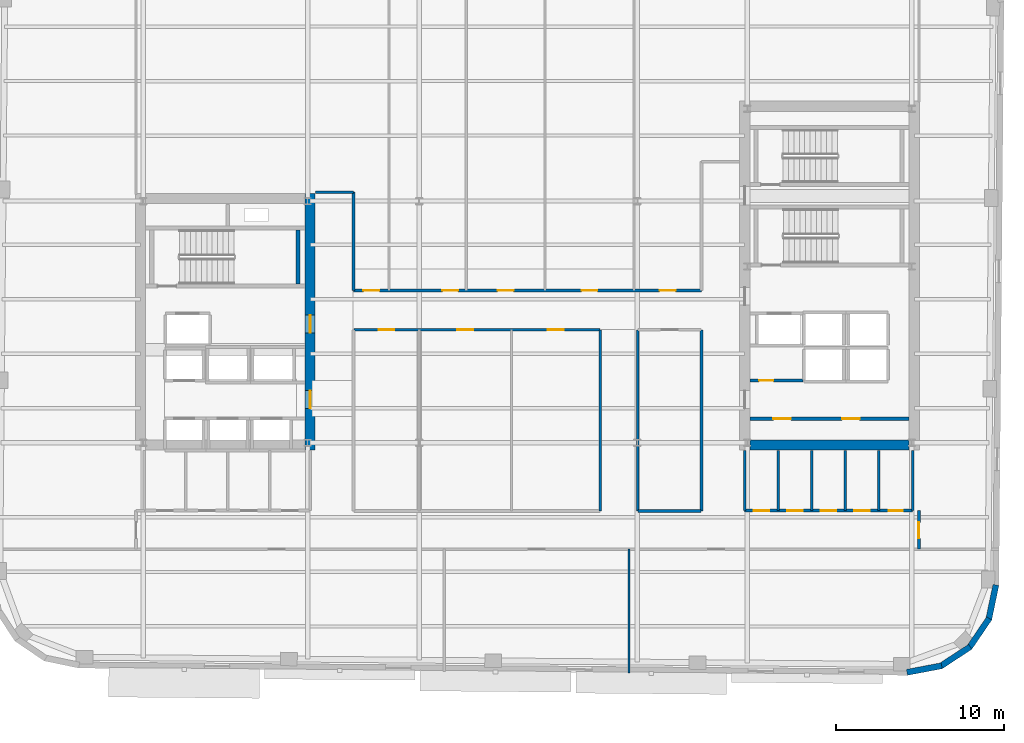
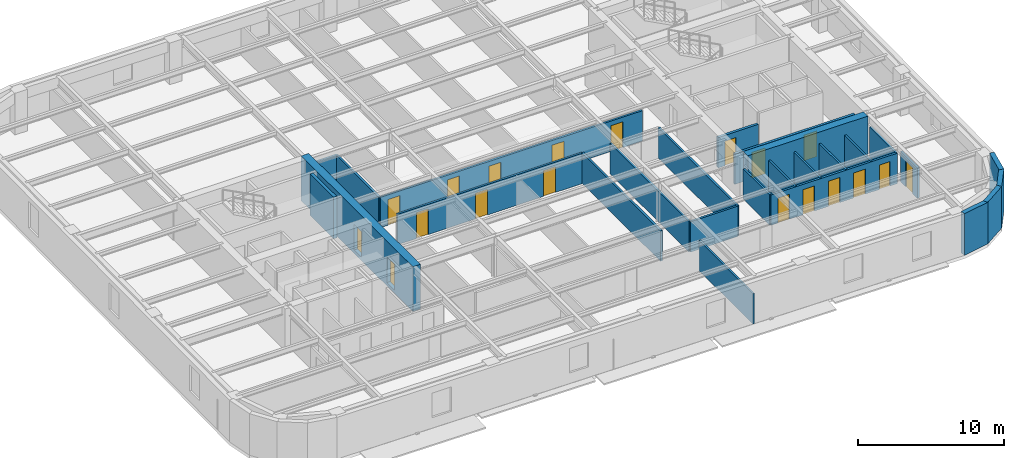
# One storey, part 5 of 11: 26 walls, 19 doors, 19 openings.
"""IFC4 building model written with IfcOpenShell, lengths in metres."""

from ifc_helpers import new_model, si_unit, direction, frame, frame_2d, origin, place, context, subcontext, project, spatial, rectangle, extrude, material, layer, layer_set, type_object, element, fill, save


model = new_model("IFC4")

# Units and contexts
model_context = context("Model", 3, precision=1e-05, world=origin(), true_north=direction((0.0, 1.0)))
body_context = subcontext(model_context, "Body", "Model", "MODEL_VIEW")
ifc_project = project(units=[si_unit("LENGTHUNIT", "METRE"), si_unit("AREAUNIT", "SQUARE_METRE"), si_unit("VOLUMEUNIT", "CUBIC_METRE"), si_unit("PLANEANGLEUNIT", "RADIAN"), si_unit("MASSUNIT", "GRAM", prefix="KILO")], contexts=[model_context])

# Site, building, storey
site_placement = place(None, origin())
site = spatial("IfcSite", under=ifc_project, at=site_placement, CompositionType="ELEMENT")
building_placement = place(site_placement, origin())
building = spatial("IfcBuilding", under=site, at=building_placement, Name="Kolvaren Arena Tower", CompositionType="ELEMENT")
storey_placement = place(building_placement, frame((0.0, 0.0, 184.699951171875)))
storey = spatial("IfcBuildingStorey", under=building, at=storey_placement, Name="L44", CompositionType="ELEMENT", Elevation=184.699951171875)

# Wall, openings, doors
ifc_material_1 = material(Name="Gypsum board acoustic assembly", Category="gypsum")
ifc_layer_1 = layer(ifc_material_1, 0.159912109375)
ifc_layer_set_1 = layer_set([ifc_layer_1], Name="Gypsum board acoustic assembly")
wall_type_1 = type_object("IfcWallType", Name="CORR-160", PredefinedType="PARTITIONING", material=ifc_layer_set_1)
wall_1_placement = place(storey_placement, frame((27.080078125, 28.52001953125, 0.0), z_axis=(0.0, 0.0, 1.0), x_axis=(1.0, 0.0, 0.0)))
wall_1 = element("IfcWall", 1, at=wall_1_placement, inside=storey, type_object=wall_type_1, Name="Interior Partition Wall (L44)", PredefinedType="PARTITIONING", context=body_context, shape_type="SweptSolid", body=[
    extrude(rectangle(XDim=20.739990234375, YDim=0.159912109375, at=frame_2d((10.3701171875, 0.0))), origin(), (0.0, 0.0, 1.0), 2.5400390625),
])
opening_1_placement = place(wall_1_placement, frame((0.594970703125, 0.0, 0.0)))
opening_1 = element("IfcOpeningElement", 2, at=opening_1_placement, cuts=wall_1, Name="Opening D05", PredefinedType="OPENING", context=body_context, shape_type="SweptSolid", body=[
    extrude(rectangle(XDim=0.949951171875, YDim=2.14990234375, at=frame_2d((0.47509765625, 1.074951171875))), frame((0.0, 0.08984375, 0.0), z_axis=(0.0, -1.0, 0.0), x_axis=(1.0, 0.0, 0.0)), (0.0, 0.0, 1.0), 0.179931640625),
])
opening_2_placement = place(wall_1_placement, frame((5.294921875, 0.0, 0.0)))
opening_2 = element("IfcOpeningElement", 3, at=opening_2_placement, cuts=wall_1, Name="Opening D05", PredefinedType="OPENING", context=body_context, shape_type="SweptSolid", body=[
    extrude(rectangle(XDim=0.949951171875, YDim=2.14990234375, at=frame_2d((0.47509765625, 1.074951171875))), frame((0.0, 0.08984375, 0.0), z_axis=(0.0, -1.0, 0.0), x_axis=(1.0, 0.0, 0.0)), (0.0, 0.0, 1.0), 0.179931640625),
])
opening_3_placement = place(wall_1_placement, frame((8.594970703125, 0.0, 0.0)))
opening_3 = element("IfcOpeningElement", 4, at=opening_3_placement, cuts=wall_1, Name="Opening D05", PredefinedType="OPENING", context=body_context, shape_type="SweptSolid", body=[
    extrude(rectangle(XDim=0.949951171875, YDim=2.14990234375, at=frame_2d((0.47509765625, 1.074951171875))), frame((0.0, 0.08984375, 0.0), z_axis=(0.0, -1.0, 0.0), x_axis=(1.0, 0.0, 0.0)), (0.0, 0.0, 1.0), 0.179931640625),
])
opening_4_placement = place(wall_1_placement, frame((13.594970703125, 0.0, 0.0)))
opening_4 = element("IfcOpeningElement", 5, at=opening_4_placement, cuts=wall_1, Name="Opening D05", PredefinedType="OPENING", context=body_context, shape_type="SweptSolid", body=[
    extrude(rectangle(XDim=0.949951171875, YDim=2.14990234375, at=frame_2d((0.47509765625, 1.074951171875))), frame((0.0, 0.08984375, 0.0), z_axis=(0.0, -1.0, 0.0), x_axis=(1.0, 0.0, 0.0)), (0.0, 0.0, 1.0), 0.179931640625),
])
opening_5_placement = place(wall_1_placement, frame((18.2451171875, 0.0, 0.0)))
opening_5 = element("IfcOpeningElement", 6, at=opening_5_placement, cuts=wall_1, Name="Opening D05", PredefinedType="OPENING", context=body_context, shape_type="SweptSolid", body=[
    extrude(rectangle(XDim=0.949951171875, YDim=2.14990234375, at=frame_2d((0.47509765625, 1.074951171875))), frame((0.0, 0.08984375, 0.0), z_axis=(0.0, -1.0, 0.0), x_axis=(1.0, 0.0, 0.0)), (0.0, 0.0, 1.0), 0.179931640625),
])
ifc_material_2 = material(Name="Solid-core oak acoustic office door", Category="wood")
door_type_1 = type_object("IfcDoorType", Name="DOOR-OF-095", OperationType="NOTDEFINED", PredefinedType="DOOR", material=ifc_material_2)
door_1_placement = place(opening_1_placement, origin())
door_1 = element("IfcDoor", 7, at=door_1_placement, inside=storey, type_object=door_type_1, Name="Corporate Project Office Door (L44)", OperationType="SINGLE_SWING_LEFT", OverallHeight=2.14990234375, OverallWidth=0.949951171875, PredefinedType="DOOR", context=body_context, shape_type="SweptSolid", body=[
    extrude(rectangle(XDim=0.949951171875, YDim=2.14990234375, at=frame_2d((0.47509765625, 1.074951171875))), frame((0.0, 0.02490234375, 0.0), z_axis=(0.0, -1.0, 0.0), x_axis=(1.0, 0.0, 0.0)), (0.0, 0.0, 1.0), 0.050048828125),
])
fill(opening_1, door_1)
door_2_placement = place(opening_2_placement, origin())
door_2 = element("IfcDoor", 8, at=door_2_placement, inside=storey, type_object=door_type_1, Name="Breakout Pantry and Kitchen Door (L44)", OperationType="SINGLE_SWING_RIGHT", OverallHeight=2.14990234375, OverallWidth=0.949951171875, PredefinedType="DOOR", context=body_context, shape_type="SweptSolid", body=[
    extrude(rectangle(XDim=0.949951171875, YDim=2.14990234375, at=frame_2d((0.47509765625, 1.074951171875))), frame((0.0, 0.02490234375, 0.0), z_axis=(0.0, -1.0, 0.0), x_axis=(1.0, 0.0, 0.0)), (0.0, 0.0, 1.0), 0.050048828125),
])
fill(opening_2, door_2)
door_3_placement = place(opening_3_placement, origin())
door_3 = element("IfcDoor", 9, at=door_3_placement, inside=storey, type_object=door_type_1, Name="Copy and Print Room Door (L44)", OperationType="SINGLE_SWING_LEFT", OverallHeight=2.14990234375, OverallWidth=0.949951171875, PredefinedType="DOOR", context=body_context, shape_type="SweptSolid", body=[
    extrude(rectangle(XDim=0.949951171875, YDim=2.14990234375, at=frame_2d((0.47509765625, 1.074951171875))), frame((0.0, 0.02490234375, 0.0), z_axis=(0.0, -1.0, 0.0), x_axis=(1.0, 0.0, 0.0)), (0.0, 0.0, 1.0), 0.050048828125),
])
fill(opening_3, door_3)
door_4_placement = place(opening_4_placement, origin())
door_4 = element("IfcDoor", 10, at=door_4_placement, inside=storey, type_object=door_type_1, Name="Design Studio Door (L44)", OperationType="SINGLE_SWING_RIGHT", OverallHeight=2.14990234375, OverallWidth=0.949951171875, PredefinedType="DOOR", context=body_context, shape_type="SweptSolid", body=[
    extrude(rectangle(XDim=0.949951171875, YDim=2.14990234375, at=frame_2d((0.47509765625, 1.074951171875))), frame((0.0, 0.02490234375, 0.0), z_axis=(0.0, -1.0, 0.0), x_axis=(1.0, 0.0, 0.0)), (0.0, 0.0, 1.0), 0.050048828125),
])
fill(opening_4, door_4)
door_5_placement = place(opening_5_placement, origin())
door_5 = element("IfcDoor", 11, at=door_5_placement, inside=storey, type_object=door_type_1, Name="Client Lounge Door (L44)", OperationType="SINGLE_SWING_LEFT", OverallHeight=2.14990234375, OverallWidth=0.949951171875, PredefinedType="DOOR", context=body_context, shape_type="SweptSolid", body=[
    extrude(rectangle(XDim=0.949951171875, YDim=2.14990234375, at=frame_2d((0.47509765625, 1.074951171875))), frame((0.0, 0.02490234375, 0.0), z_axis=(0.0, -1.0, 0.0), x_axis=(1.0, 0.0, 0.0)), (0.0, 0.0, 1.0), 0.050048828125),
])
fill(opening_5, door_5)

# Walls
wall_2_placement = place(storey_placement, frame((27.080078125, 28.52001953125, 0.0), z_axis=(0.0, 0.0, 1.0), x_axis=(0.0, 1.0, 0.0)))
element("IfcWall", 12, at=wall_2_placement, inside=storey, type_object=wall_type_1, Name="Interior Partition Wall (L44)", PredefinedType="PARTITIONING", context=body_context, shape_type="SweptSolid", body=[
    extrude(rectangle(XDim=5.85986328125, YDim=0.159912109375, at=frame_2d((2.929931640625, 0.0))), origin(), (0.0, 0.0, 1.0), 2.5400390625),
])
wall_3_placement = place(storey_placement, frame((24.820068359375, 34.3798828125, 0.0), z_axis=(0.0, 0.0, 1.0), x_axis=(1.0, 0.0, 0.0)))
element("IfcWall", 13, at=wall_3_placement, inside=storey, type_object=wall_type_1, Name="Interior Partition Wall (L44)", PredefinedType="PARTITIONING", context=body_context, shape_type="SweptSolid", body=[
    extrude(rectangle(XDim=2.260009765625, YDim=0.159912109375, at=frame_2d((1.1298828125, 0.0))), origin(), (0.0, 0.0, 1.0), 2.5400390625),
])

# Wall, openings, doors
wall_4_placement = place(storey_placement, frame((27.10009765625, 26.179931640625, 0.0), z_axis=(0.0, 0.0, 1.0), x_axis=(1.0, 0.0, 0.0)))
wall_4 = element("IfcWall", 14, at=wall_4_placement, inside=storey, type_object=wall_type_1, Name="Interior Partition Wall (L44)", PredefinedType="PARTITIONING", context=body_context, shape_type="SweptSolid", body=[
    extrude(rectangle(XDim=14.659912109375, YDim=0.159912109375, at=frame_2d((7.330078125, 0.0))), origin(), (0.0, 0.0, 1.0), 2.5400390625),
])
opening_6_placement = place(wall_4_placement, frame((1.47509765625, 0.0, 0.0)))
opening_6 = element("IfcOpeningElement", 15, at=opening_6_placement, cuts=wall_4, Name="Opening D05", PredefinedType="OPENING", context=body_context, shape_type="SweptSolid", body=[
    extrude(rectangle(XDim=0.949951171875, YDim=2.14990234375, at=frame_2d((0.47509765625, 1.074951171875))), frame((0.0, 0.08984375, 0.0), z_axis=(0.0, -1.0, 0.0), x_axis=(1.0, 0.0, 0.0)), (0.0, 0.0, 1.0), 0.179931640625),
])
opening_7_placement = place(wall_4_placement, frame((6.175048828125, 0.0, 0.0)))
opening_7 = element("IfcOpeningElement", 16, at=opening_7_placement, cuts=wall_4, Name="Opening D05", PredefinedType="OPENING", context=body_context, shape_type="SweptSolid", body=[
    extrude(rectangle(XDim=0.949951171875, YDim=2.14990234375, at=frame_2d((0.47509765625, 1.074951171875))), frame((0.0, 0.08984375, 0.0), z_axis=(0.0, -1.0, 0.0), x_axis=(1.0, 0.0, 0.0)), (0.0, 0.0, 1.0), 0.179931640625),
])
opening_8_placement = place(wall_4_placement, frame((11.554931640625, 0.0, 0.0)))
opening_8 = element("IfcOpeningElement", 17, at=opening_8_placement, cuts=wall_4, Name="Opening D05", PredefinedType="OPENING", context=body_context, shape_type="SweptSolid", body=[
    extrude(rectangle(XDim=0.949951171875, YDim=2.14990234375, at=frame_2d((0.47509765625, 1.074951171875))), frame((0.0, 0.08984375, 0.0), z_axis=(0.0, -1.0, 0.0), x_axis=(1.0, 0.0, 0.0)), (0.0, 0.0, 1.0), 0.179931640625),
])
door_6_placement = place(opening_6_placement, origin())
door_6 = element("IfcDoor", 18, at=door_6_placement, inside=storey, type_object=door_type_1, Name="Executive Office Door (L44)", OperationType="SINGLE_SWING_RIGHT", OverallHeight=2.14990234375, OverallWidth=0.949951171875, PredefinedType="DOOR", context=body_context, shape_type="SweptSolid", body=[
    extrude(rectangle(XDim=0.949951171875, YDim=2.14990234375, at=frame_2d((0.47509765625, 1.074951171875))), frame((0.0, 0.02490234375, 0.0), z_axis=(0.0, -1.0, 0.0), x_axis=(1.0, 0.0, 0.0)), (0.0, 0.0, 1.0), 0.050048828125),
])
fill(opening_6, door_6)
door_7_placement = place(opening_7_placement, origin())
door_7 = element("IfcDoor", 19, at=door_7_placement, inside=storey, type_object=door_type_1, Name="Boardroom Door (L44)", OperationType="SINGLE_SWING_LEFT", OverallHeight=2.14990234375, OverallWidth=0.949951171875, PredefinedType="DOOR", context=body_context, shape_type="SweptSolid", body=[
    extrude(rectangle(XDim=0.949951171875, YDim=2.14990234375, at=frame_2d((0.47509765625, 1.074951171875))), frame((0.0, 0.02490234375, 0.0), z_axis=(0.0, -1.0, 0.0), x_axis=(1.0, 0.0, 0.0)), (0.0, 0.0, 1.0), 0.050048828125),
])
fill(opening_7, door_7)
door_8_placement = place(opening_8_placement, origin())
door_8 = element("IfcDoor", 20, at=door_8_placement, inside=storey, type_object=door_type_1, Name="Breakout Pantry and Kitchen Door (L44)", OperationType="SINGLE_SWING_RIGHT", OverallHeight=2.14990234375, OverallWidth=0.949951171875, PredefinedType="DOOR", context=body_context, shape_type="SweptSolid", body=[
    extrude(rectangle(XDim=0.949951171875, YDim=2.14990234375, at=frame_2d((0.47509765625, 1.074951171875))), frame((0.0, 0.02490234375, 0.0), z_axis=(0.0, -1.0, 0.0), x_axis=(1.0, 0.0, 0.0)), (0.0, 0.0, 1.0), 0.050048828125),
])
fill(opening_8, door_8)

# Walls
wall_5_placement = place(storey_placement, frame((44.0400390625, 15.3798828125, 0.0), z_axis=(0.0, 0.0, 1.0), x_axis=(1.0, 0.0, 0.0)))
element("IfcWall", 21, at=wall_5_placement, inside=storey, type_object=wall_type_1, Name="Interior Partition Wall (L44)", PredefinedType="PARTITIONING", context=body_context, shape_type="SweptSolid", body=[
    extrude(rectangle(XDim=3.760009765625, YDim=0.159912109375, at=frame_2d((1.8798828125, 0.0))), origin(), (0.0, 0.0, 1.0), 2.5400390625),
])
for number, where, z_axis, x_axis, name in (
    (22, (41.780029296875, 15.3798828125, 0.0), (0.0, 0.0, 1.0), (0.0, 1.0, 0.0), "Interior Partition Wall (L44)"),
    (23, (44.02001953125, 15.3798828125, 0.0), (0.0, 0.0, 1.0), (0.0, 1.0, 0.0), "Interior Partition Wall (L44)"),
    (24, (47.820068359375, 15.3798828125, 0.0), (0.0, 0.0, 1.0), (0.0, 1.0, 0.0), "Interior Partition Wall (L44)"),
):
    element("IfcWall", number, at=place(storey_placement, frame(where, z_axis=z_axis, x_axis=x_axis)), inside=storey, type_object=wall_type_1, Name=name, PredefinedType="PARTITIONING", context=body_context, shape_type="SweptSolid", body=[
        extrude(rectangle(XDim=10.800048828125, YDim=0.159912109375, at=frame_2d((5.39990234375, 0.0))), origin(), (0.0, 0.0, 1.0), 2.5400390625),
    ])

# Wall, opening, door
wall_6_placement = place(storey_placement, frame((60.780029296875, 13.10009765625, 0.0), z_axis=(0.0, 0.0, 1.0), x_axis=(0.0, 1.0, 0.0)))
wall_6 = element("IfcWall", 25, at=wall_6_placement, inside=storey, type_object=wall_type_1, Name="Interior Partition Wall (L44)", PredefinedType="PARTITIONING", context=body_context, shape_type="SweptSolid", body=[
    extrude(rectangle(XDim=2.2998046875, YDim=0.159912109375, at=frame_2d((1.14990234375, 0.0))), origin(), (0.0, 0.0, 1.0), 2.5400390625),
])
opening_9_placement = place(wall_6_placement, frame((0.64990234375, 0.0, 0.0)))
opening_9 = element("IfcOpeningElement", 26, at=opening_9_placement, cuts=wall_6, Name="Opening D05", PredefinedType="OPENING", context=body_context, shape_type="SweptSolid", body=[
    extrude(rectangle(XDim=0.949951171875, YDim=2.14990234375, at=frame_2d((0.47509765625, 1.074951171875))), frame((0.0, 0.08984375, 0.0), z_axis=(0.0, -1.0, 0.0), x_axis=(1.0, 0.0, 0.0)), (0.0, 0.0, 1.0), 0.179931640625),
])
door_9_placement = place(opening_9_placement, origin())
door_9 = element("IfcDoor", 27, at=door_9_placement, inside=storey, type_object=door_type_1, Name="East Wing Studio Door (L44)", OperationType="SINGLE_SWING_RIGHT", OverallHeight=2.14990234375, OverallWidth=0.949951171875, PredefinedType="DOOR", context=body_context, shape_type="SweptSolid", body=[
    extrude(rectangle(XDim=0.949951171875, YDim=2.14990234375, at=frame_2d((0.47509765625, 1.074951171875))), frame((0.0, 0.02490234375, 0.0), z_axis=(0.0, -1.0, 0.0), x_axis=(1.0, 0.0, 0.0)), (0.0, 0.0, 1.0), 0.050048828125),
])
fill(opening_9, door_9)

# Wall, openings, doors
ifc_material_3 = material(Name="Concrete 60 MPa", Category="concrete")
ifc_layer_2 = layer(ifc_material_3, 0.60009765625)
ifc_layer_set_2 = layer_set([ifc_layer_2], Name="Concrete 60 MPa")
wall_type_2 = type_object("IfcWallType", Name="CWALL-600", PredefinedType="SHEAR", material=ifc_layer_set_2)
wall_7_placement = place(storey_placement, frame((24.5, 19.0, -0.27001953125), z_axis=(0.0, 0.0, 1.0), x_axis=(0.0, 1.0, 0.0)))
wall_7 = element("IfcWall", 28, at=wall_7_placement, inside=storey, type_object=wall_type_2, Name="Core Shear Wall WC-EAST (L44)", PredefinedType="SHEAR", context=body_context, shape_type="SweptSolid", body=[
    extrude(rectangle(XDim=15.300048828125, YDim=0.60009765625, at=frame_2d((7.64990234375, 0.0))), origin(), (0.0, 0.0, 1.0), 3.75),
])
opening_10_placement = place(wall_7_placement, frame((2.5, 0.0, 0.27001953125)))
opening_10 = element("IfcOpeningElement", 29, at=opening_10_placement, cuts=wall_7, Name="Opening D04", PredefinedType="OPENING", context=body_context, shape_type="SweptSolid", body=[
    extrude(rectangle(XDim=1.050048828125, YDim=2.14990234375, at=frame_2d((0.52490234375, 1.074951171875))), frame((0.0, 0.31005859375, 0.0), z_axis=(0.0, -1.0, 0.0), x_axis=(1.0, 0.0, 0.0)), (0.0, 0.0, 1.0), 0.6201171875),
])
opening_11_placement = place(wall_7_placement, frame((7.0, 0.0, 0.27001953125)))
opening_11 = element("IfcOpeningElement", 30, at=opening_11_placement, cuts=wall_7, Name="Opening D04", PredefinedType="OPENING", context=body_context, shape_type="SweptSolid", body=[
    extrude(rectangle(XDim=1.050048828125, YDim=2.14990234375, at=frame_2d((0.52490234375, 1.074951171875))), frame((0.0, 0.31005859375, 0.0), z_axis=(0.0, -1.0, 0.0), x_axis=(1.0, 0.0, 0.0)), (0.0, 0.0, 1.0), 0.6201171875),
])
ifc_material_4 = material(Name="Fire-rated steel lobby door", Category="steel")
door_type_2 = type_object("IfcDoorType", Name="DOOR-FF-105", OperationType="NOTDEFINED", PredefinedType="DOOR", material=ifc_material_4)
door_10_placement = place(opening_10_placement, origin())
door_10 = element("IfcDoor", 31, at=door_10_placement, inside=storey, type_object=door_type_2, Name="West Lift Lobby Fire Door (L44)", OperationType="SINGLE_SWING_LEFT", OverallHeight=2.14990234375, OverallWidth=1.050048828125, PredefinedType="DOOR", context=body_context, shape_type="SweptSolid", body=[
    extrude(rectangle(XDim=1.050048828125, YDim=2.14990234375, at=frame_2d((0.52490234375, 1.074951171875))), frame((0.0, 0.02490234375, 0.0), z_axis=(0.0, -1.0, 0.0), x_axis=(1.0, 0.0, 0.0)), (0.0, 0.0, 1.0), 0.050048828125),
])
fill(opening_10, door_10)
door_11_placement = place(opening_11_placement, origin())
door_11 = element("IfcDoor", 32, at=door_11_placement, inside=storey, type_object=door_type_2, Name="West Firefighter Vestibule Door (L44)", OperationType="SINGLE_SWING_RIGHT", OverallHeight=2.14990234375, OverallWidth=1.050048828125, PredefinedType="DOOR", context=body_context, shape_type="SweptSolid", body=[
    extrude(rectangle(XDim=1.050048828125, YDim=2.14990234375, at=frame_2d((0.52490234375, 1.074951171875))), frame((0.0, 0.02490234375, 0.0), z_axis=(0.0, -1.0, 0.0), x_axis=(1.0, 0.0, 0.0)), (0.0, 0.0, 1.0), 0.050048828125),
])
fill(opening_11, door_11)

# Walls
wall_8_placement = place(storey_placement, frame((50.699951171875, 19.300048828125, -0.27001953125), z_axis=(0.0, 0.0, 1.0), x_axis=(1.0, 0.0, 0.0)))
element("IfcWall", 33, at=wall_8_placement, inside=storey, type_object=wall_type_2, Name="Core Shear Wall EC-SOUTH (L44)", PredefinedType="SHEAR", context=body_context, shape_type="SweptSolid", body=[
    extrude(rectangle(XDim=9.5, YDim=0.60009765625, at=frame_2d((4.75, 0.0))), origin(), (0.0, 0.0, 1.0), 3.75),
])
ifc_material_5 = material(Name="Precast concrete C50/60", Category="concrete")
ifc_layer_3 = layer(ifc_material_5, 0.360107421875)
ifc_layer_set_3 = layer_set([ifc_layer_3], Name="Precast concrete C50/60")
wall_type_3 = type_object("IfcWallType", Name="EXT-PIER2", PredefinedType="SOLIDWALL", material=ifc_layer_set_3)
wall_9_placement = place(storey_placement, frame((62.136474609375, 6.155029296875, 0.0), z_axis=(0.0, 0.0, 1.0), x_axis=(-0.98246713518, -0.186435855703, 0.0)))
element("IfcWall", 34, at=wall_9_placement, inside=storey, type_object=wall_type_3, Name="Exterior Precast Masonry-Frame Wall (L44)", PredefinedType="SOLIDWALL", context=body_context, shape_type="SweptSolid", body=[
    extrude(rectangle(XDim=2.10693359375, YDim=0.360107421875, at=frame_2d((1.053466796875, 0.0))), origin(), (0.0, 0.0, 1.0), 3.47998046875),
])
wall_10_placement = place(storey_placement, frame((63.83349609375, 7.2841796875, 0.0), z_axis=(0.0, 0.0, 1.0), x_axis=(-0.836303589916, -0.548266637224, 0.0)))
element("IfcWall", 35, at=wall_10_placement, inside=storey, type_object=wall_type_3, Name="Exterior Precast Masonry-Frame Wall (L44)", PredefinedType="SOLIDWALL", context=body_context, shape_type="SweptSolid", body=[
    extrude(rectangle(XDim=2.107177734375, YDim=0.360107421875, at=frame_2d((1.0537109375, 0.0))), origin(), (0.0, 0.0, 1.0), 3.47998046875),
])
for number, where, z_axis, x_axis, name in (
    (36, (64.968994140625, 8.9765625, 0.0), (0.0, 0.0, 1.0), (-0.56277581689, -0.826609569219, 0.0), "Exterior Precast Masonry-Frame Wall (L44)"),
    (37, (65.370849609375, 10.974609375, 0.0), (0.0, 0.0, 1.0), (-0.203709000552, -0.979031482177, 0.0), "Exterior Precast Masonry-Frame Wall (L44)"),
):
    element("IfcWall", number, at=place(storey_placement, frame(where, z_axis=z_axis, x_axis=x_axis)), inside=storey, type_object=wall_type_3, Name=name, PredefinedType="SOLIDWALL", context=body_context, shape_type="SweptSolid", body=[
        extrude(rectangle(XDim=2.10693359375, YDim=0.360107421875, at=frame_2d((1.053466796875, 0.0))), origin(), (0.0, 0.0, 1.0), 3.47998046875),
    ])

# Wall, openings, doors
ifc_material_6 = material(Name="Concrete 40 MPa", Category="concrete")
ifc_layer_4 = layer(ifc_material_6, 0.199951171875)
ifc_layer_set_4 = layer_set([ifc_layer_4], Name="Concrete 40 MPa")
wall_type_4 = type_object("IfcWallType", Name="LOBBY-200", PredefinedType="SOLIDWALL", material=ifc_layer_set_4)
wall_11_placement = place(storey_placement, frame((50.699951171875, 20.8798828125, 0.0), z_axis=(0.0, 0.0, 1.0), x_axis=(1.0, 0.0, 0.0)))
wall_11 = element("IfcWall", 38, at=wall_11_placement, inside=storey, type_object=wall_type_4, Name="Core Shaft Wall (L44)", PredefinedType="SOLIDWALL", context=body_context, shape_type="SweptSolid", body=[
    extrude(rectangle(XDim=9.5, YDim=0.199951171875, at=frame_2d((4.75, 0.0))), origin(), (0.0, 0.0, 1.0), 2.5400390625),
])
opening_12_placement = place(wall_11_placement, frame((1.39990234375, 0.0, 0.0)))
opening_12 = element("IfcOpeningElement", 39, at=opening_12_placement, cuts=wall_11, Name="Opening D04", PredefinedType="OPENING", context=body_context, shape_type="SweptSolid", body=[
    extrude(rectangle(XDim=1.050048828125, YDim=2.14990234375, at=frame_2d((0.52490234375, 1.074951171875))), frame((0.0, 0.10986328125, 0.0), z_axis=(0.0, -1.0, 0.0), x_axis=(1.0, 0.0, 0.0)), (0.0, 0.0, 1.0), 0.219970703125),
])
opening_13_placement = place(wall_11_placement, frame((5.5, 0.0, 0.0)))
opening_13 = element("IfcOpeningElement", 40, at=opening_13_placement, cuts=wall_11, Name="Opening D04", PredefinedType="OPENING", context=body_context, shape_type="SweptSolid", body=[
    extrude(rectangle(XDim=1.050048828125, YDim=2.14990234375, at=frame_2d((0.52490234375, 1.074951171875))), frame((0.0, 0.10986328125, 0.0), z_axis=(0.0, -1.0, 0.0), x_axis=(1.0, 0.0, 0.0)), (0.0, 0.0, 1.0), 0.219970703125),
])
door_12_placement = place(opening_12_placement, origin())
door_12 = element("IfcDoor", 41, at=door_12_placement, inside=storey, type_object=door_type_2, Name="East Telecom Room Fire Door (L44)", OperationType="SINGLE_SWING_RIGHT", OverallHeight=2.14990234375, OverallWidth=1.050048828125, PredefinedType="DOOR", context=body_context, shape_type="SweptSolid", body=[
    extrude(rectangle(XDim=1.050048828125, YDim=2.14990234375, at=frame_2d((0.52490234375, 1.074951171875))), frame((0.0, 0.02490234375, 0.0), z_axis=(0.0, -1.0, 0.0), x_axis=(1.0, 0.0, 0.0)), (0.0, 0.0, 1.0), 0.050048828125),
])
fill(opening_12, door_12)
door_13_placement = place(opening_13_placement, origin())
door_13 = element("IfcDoor", 42, at=door_13_placement, inside=storey, type_object=door_type_2, Name="East Records Room Fire Door (L44)", OperationType="SINGLE_SWING_LEFT", OverallHeight=2.14990234375, OverallWidth=1.050048828125, PredefinedType="DOOR", context=body_context, shape_type="SweptSolid", body=[
    extrude(rectangle(XDim=1.050048828125, YDim=2.14990234375, at=frame_2d((0.52490234375, 1.074951171875))), frame((0.0, 0.02490234375, 0.0), z_axis=(0.0, -1.0, 0.0), x_axis=(1.0, 0.0, 0.0)), (0.0, 0.0, 1.0), 0.050048828125),
])
fill(opening_13, door_13)

# Wall, opening, door
wall_12_placement = place(storey_placement, frame((50.699951171875, 23.159912109375, 0.0), z_axis=(0.0, 0.0, 1.0), x_axis=(1.0, 0.0, 0.0)))
wall_12 = element("IfcWall", 43, at=wall_12_placement, inside=storey, type_object=wall_type_4, Name="Core Shaft Wall (L44)", PredefinedType="SOLIDWALL", context=body_context, shape_type="SweptSolid", body=[
    extrude(rectangle(XDim=3.179931640625, YDim=0.199951171875, at=frame_2d((1.58984375, 0.0))), origin(), (0.0, 0.0, 1.0), 2.5400390625),
])
opening_14_placement = place(wall_12_placement, frame((0.550048828125, 0.0, 0.0)))
opening_14 = element("IfcOpeningElement", 44, at=opening_14_placement, cuts=wall_12, Name="Opening D09", PredefinedType="OPENING", context=body_context, shape_type="SweptSolid", body=[
    extrude(rectangle(XDim=0.860107421875, YDim=2.050048828125, at=frame_2d((0.43017578125, 1.02490234375))), frame((0.0, 0.10986328125, 0.0), z_axis=(0.0, -1.0, 0.0), x_axis=(1.0, 0.0, 0.0)), (0.0, 0.0, 1.0), 0.219970703125),
])
ifc_material_7 = material(Name="Fire-rated steel riser access door", Category="steel")
door_type_3 = type_object("IfcDoorType", Name="DOOR-RS-086", OperationType="NOTDEFINED", PredefinedType="DOOR", material=ifc_material_7)
door_14_placement = place(opening_14_placement, origin())
door_14 = element("IfcDoor", 45, at=door_14_placement, inside=storey, type_object=door_type_3, Name="East AV Riser Closet Door (L44)", OperationType="SINGLE_SWING_LEFT", OverallHeight=2.050048828125, OverallWidth=0.860107421875, PredefinedType="DOOR", context=body_context, shape_type="SweptSolid", body=[
    extrude(rectangle(XDim=0.860107421875, YDim=2.050048828125, at=frame_2d((0.43017578125, 1.02490234375))), frame((0.0, 0.02490234375, 0.0), z_axis=(0.0, -1.0, 0.0), x_axis=(1.0, 0.0, 0.0)), (0.0, 0.0, 1.0), 0.050048828125),
])
fill(opening_14, door_14)

# Walls
ifc_material_8 = material(Name="Gypsum board partition assembly", Category="gypsum")
ifc_layer_5 = layer(ifc_material_8, 0.135009765625)
ifc_layer_set_5 = layer_set([ifc_layer_5], Name="Gypsum board partition assembly")
wall_type_5 = type_object("IfcWallType", Name="PART-135", PredefinedType="PARTITIONING", material=ifc_layer_set_5)
wall_13_placement = place(storey_placement, frame((43.5, 5.730224609375, 0.0), z_axis=(0.0, 0.0, 1.0), x_axis=(0.0, 1.0, 0.0)))
element("IfcWall", 46, at=wall_13_placement, inside=storey, type_object=wall_type_5, Name="Interior Partition Wall (L44)", PredefinedType="PARTITIONING", context=body_context, shape_type="SweptSolid", body=[
    extrude(rectangle(XDim=7.369873046875, YDim=0.135009765625, at=frame_2d((3.68505859375, 0.0))), origin(), (0.0, 0.0, 1.0), 2.5400390625),
])
ifc_material_9 = material(Name="Concrete 45 MPa", Category="concrete")
ifc_layer_6 = layer(ifc_material_9, 0.25)
ifc_layer_set_6 = layer_set([ifc_layer_6], Name="Concrete 45 MPa")
wall_type_6 = type_object("IfcWallType", Name="SHAFT-250", PredefinedType="SOLIDWALL", material=ifc_layer_set_6)
wall_14_placement = place(storey_placement, frame((23.780029296875, 28.89990234375, 0.0), z_axis=(0.0, 0.0, 1.0), x_axis=(0.0, 1.0, 0.0)))
element("IfcWall", 47, at=wall_14_placement, inside=storey, type_object=wall_type_6, Name="Core Shaft Wall (L44)", PredefinedType="SOLIDWALL", context=body_context, shape_type="SweptSolid", body=[
    extrude(rectangle(XDim=3.22998046875, YDim=0.239990234375, at=frame_2d((1.614990234375, 0.0))), origin(), (0.0, 0.0, 1.0), 3.47998046875),
])

# Wall, openings, doors
wall_15_placement = place(storey_placement, frame((50.39990234375, 15.39990234375, 0.0), z_axis=(0.0, 0.0, 1.0), x_axis=(1.0, 0.0, 0.0)))
wall_15 = element("IfcWall", 48, at=wall_15_placement, inside=storey, type_object=wall_type_6, Name="Interior Partition Wall (L44)", PredefinedType="SOLIDWALL", context=body_context, shape_type="SweptSolid", body=[
    extrude(rectangle(XDim=10.0, YDim=0.179931640625, at=frame_2d((5.0, 0.0))), origin(), (0.0, 0.0, 1.0), 2.5400390625),
])
opening_15_placement = place(wall_15_placement, frame((0.5400390625, 0.0, 0.0)))
opening_15 = element("IfcOpeningElement", 49, at=opening_15_placement, cuts=wall_15, Name="Opening D07", PredefinedType="OPENING", context=body_context, shape_type="SweptSolid", body=[
    extrude(rectangle(XDim=0.919921875, YDim=2.10009765625, at=frame_2d((0.4599609375, 1.050048828125))), frame((0.0, 0.099853515625, 0.0), z_axis=(0.0, -1.0, 0.0), x_axis=(1.0, 0.0, 0.0)), (0.0, 0.0, 1.0), 0.199951171875),
])
opening_16_placement = place(wall_15_placement, frame((2.5400390625, 0.0, 0.0)))
opening_16 = element("IfcOpeningElement", 50, at=opening_16_placement, cuts=wall_15, Name="Opening D07", PredefinedType="OPENING", context=body_context, shape_type="SweptSolid", body=[
    extrude(rectangle(XDim=0.919921875, YDim=2.10009765625, at=frame_2d((0.4599609375, 1.050048828125))), frame((0.0, 0.099853515625, 0.0), z_axis=(0.0, -1.0, 0.0), x_axis=(1.0, 0.0, 0.0)), (0.0, 0.0, 1.0), 0.199951171875),
])
opening_17_placement = place(wall_15_placement, frame((4.5400390625, 0.0, 0.0)))
opening_17 = element("IfcOpeningElement", 51, at=opening_17_placement, cuts=wall_15, Name="Opening D07", PredefinedType="OPENING", context=body_context, shape_type="SweptSolid", body=[
    extrude(rectangle(XDim=0.919921875, YDim=2.10009765625, at=frame_2d((0.4599609375, 1.050048828125))), frame((0.0, 0.099853515625, 0.0), z_axis=(0.0, -1.0, 0.0), x_axis=(1.0, 0.0, 0.0)), (0.0, 0.0, 1.0), 0.199951171875),
])
opening_18_placement = place(wall_15_placement, frame((6.5400390625, 0.0, 0.0)))
opening_18 = element("IfcOpeningElement", 52, at=opening_18_placement, cuts=wall_15, Name="Opening D07", PredefinedType="OPENING", context=body_context, shape_type="SweptSolid", body=[
    extrude(rectangle(XDim=0.919921875, YDim=2.10009765625, at=frame_2d((0.4599609375, 1.050048828125))), frame((0.0, 0.099853515625, 0.0), z_axis=(0.0, -1.0, 0.0), x_axis=(1.0, 0.0, 0.0)), (0.0, 0.0, 1.0), 0.199951171875),
])
opening_19_placement = place(wall_15_placement, frame((8.570068359375, 0.0, 0.0)))
opening_19 = element("IfcOpeningElement", 53, at=opening_19_placement, cuts=wall_15, Name="Opening D09", PredefinedType="OPENING", context=body_context, shape_type="SweptSolid", body=[
    extrude(rectangle(XDim=0.860107421875, YDim=2.050048828125, at=frame_2d((0.43017578125, 1.02490234375))), frame((0.0, 0.099853515625, 0.0), z_axis=(0.0, -1.0, 0.0), x_axis=(1.0, 0.0, 0.0)), (0.0, 0.0, 1.0), 0.199951171875),
])
door_15_placement = place(opening_19_placement, origin())
door_15 = element("IfcDoor", 54, at=door_15_placement, inside=storey, type_object=door_type_3, Name="Telecom Riser Closet Door (L44)", OperationType="SINGLE_SWING_RIGHT", OverallHeight=2.050048828125, OverallWidth=0.860107421875, PredefinedType="DOOR", context=body_context, shape_type="SweptSolid", body=[
    extrude(rectangle(XDim=0.860107421875, YDim=2.050048828125, at=frame_2d((0.43017578125, 1.02490234375))), frame((0.0, 0.02490234375, 0.0), z_axis=(0.0, -1.0, 0.0), x_axis=(1.0, 0.0, 0.0)), (0.0, 0.0, 1.0), 0.050048828125),
])
fill(opening_19, door_15)
ifc_material_10 = material(Name="Laminate universal washroom door", Category="wood")
door_type_4 = type_object("IfcDoorType", Name="DOOR-WC-092", OperationType="NOTDEFINED", PredefinedType="DOOR", material=ifc_material_10)
door_16_placement = place(opening_15_placement, origin())
door_16 = element("IfcDoor", 55, at=door_16_placement, inside=storey, type_object=door_type_4, Name="First Aid Store Door (L44)", OperationType="SINGLE_SWING_RIGHT", OverallHeight=2.10009765625, OverallWidth=0.919921875, PredefinedType="DOOR", context=body_context, shape_type="SweptSolid", body=[
    extrude(rectangle(XDim=0.919921875, YDim=2.10009765625, at=frame_2d((0.4599609375, 1.050048828125))), frame((0.0, 0.02490234375, 0.0), z_axis=(0.0, -1.0, 0.0), x_axis=(1.0, 0.0, 0.0)), (0.0, 0.0, 1.0), 0.050048828125),
])
fill(opening_15, door_16)
door_17_placement = place(opening_16_placement, origin())
door_17 = element("IfcDoor", 56, at=door_17_placement, inside=storey, type_object=door_type_4, Name="Cleaner and Janitor Store Door (L44)", OperationType="SINGLE_SWING_LEFT", OverallHeight=2.10009765625, OverallWidth=0.919921875, PredefinedType="DOOR", context=body_context, shape_type="SweptSolid", body=[
    extrude(rectangle(XDim=0.919921875, YDim=2.10009765625, at=frame_2d((0.4599609375, 1.050048828125))), frame((0.0, 0.02490234375, 0.0), z_axis=(0.0, -1.0, 0.0), x_axis=(1.0, 0.0, 0.0)), (0.0, 0.0, 1.0), 0.050048828125),
])
fill(opening_16, door_17)
door_18_placement = place(opening_17_placement, origin())
door_18 = element("IfcDoor", 57, at=door_18_placement, inside=storey, type_object=door_type_4, Name="Staff Pantry Door (L44)", OperationType="SINGLE_SWING_RIGHT", OverallHeight=2.10009765625, OverallWidth=0.919921875, PredefinedType="DOOR", context=body_context, shape_type="SweptSolid", body=[
    extrude(rectangle(XDim=0.919921875, YDim=2.10009765625, at=frame_2d((0.4599609375, 1.050048828125))), frame((0.0, 0.02490234375, 0.0), z_axis=(0.0, -1.0, 0.0), x_axis=(1.0, 0.0, 0.0)), (0.0, 0.0, 1.0), 0.050048828125),
])
fill(opening_17, door_18)
door_19_placement = place(opening_18_placement, origin())
door_19 = element("IfcDoor", 58, at=door_19_placement, inside=storey, type_object=door_type_4, Name="Gender-Neutral Washroom Door (L44)", OperationType="SINGLE_SWING_LEFT", OverallHeight=2.10009765625, OverallWidth=0.919921875, PredefinedType="DOOR", context=body_context, shape_type="SweptSolid", body=[
    extrude(rectangle(XDim=0.919921875, YDim=2.10009765625, at=frame_2d((0.4599609375, 1.050048828125))), frame((0.0, 0.02490234375, 0.0), z_axis=(0.0, -1.0, 0.0), x_axis=(1.0, 0.0, 0.0)), (0.0, 0.0, 1.0), 0.050048828125),
])
fill(opening_18, door_19)

# Walls
ifc_material_11 = material(Name="Moisture-resistant gypsum assembly", Category="gypsum")
ifc_layer_7 = layer(ifc_material_11, 0.14990234375)
ifc_layer_set_7 = layer_set([ifc_layer_7], Name="Moisture-resistant gypsum assembly")
wall_type_7 = type_object("IfcWallType", Name="WETW-150", PredefinedType="PARTITIONING", material=ifc_layer_set_7)
for number, where, z_axis, x_axis, name in (
    (59, (52.39990234375, 15.39990234375, 0.0), (0.0, 0.0, 1.0), (0.0, 1.0, 0.0), "Interior Partition Wall (L44)"),
    (60, (54.39990234375, 15.39990234375, 0.0), (0.0, 0.0, 1.0), (0.0, 1.0, 0.0), "Interior Partition Wall (L44)"),
    (61, (56.39990234375, 15.39990234375, 0.0), (0.0, 0.0, 1.0), (0.0, 1.0, 0.0), "Interior Partition Wall (L44)"),
    (62, (58.39990234375, 15.39990234375, 0.0), (0.0, 0.0, 1.0), (0.0, 1.0, 0.0), "Interior Partition Wall (L44)"),
    (63, (50.39990234375, 15.39990234375, 0.0), (0.0, 0.0, 1.0), (0.0, 1.0, 0.0), "Interior Partition Wall (L44)"),
    (64, (60.39990234375, 15.39990234375, 0.0), (0.0, 0.0, 1.0), (0.0, 1.0, 0.0), "Interior Partition Wall (L44)"),
):
    element("IfcWall", number, at=place(storey_placement, frame(where, z_axis=z_axis, x_axis=x_axis)), inside=storey, type_object=wall_type_7, Name=name, PredefinedType="PARTITIONING", context=body_context, shape_type="SweptSolid", body=[
        extrude(rectangle(XDim=3.580078125, YDim=0.14990234375, at=frame_2d((1.7900390625, 0.0))), origin(), (0.0, 0.0, 1.0), 2.5400390625),
    ])

save(model, "model.ifc")
